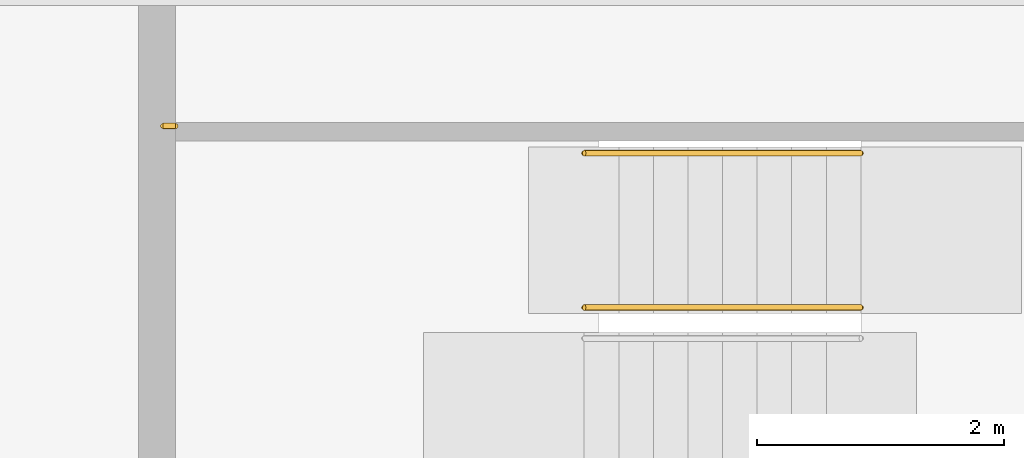
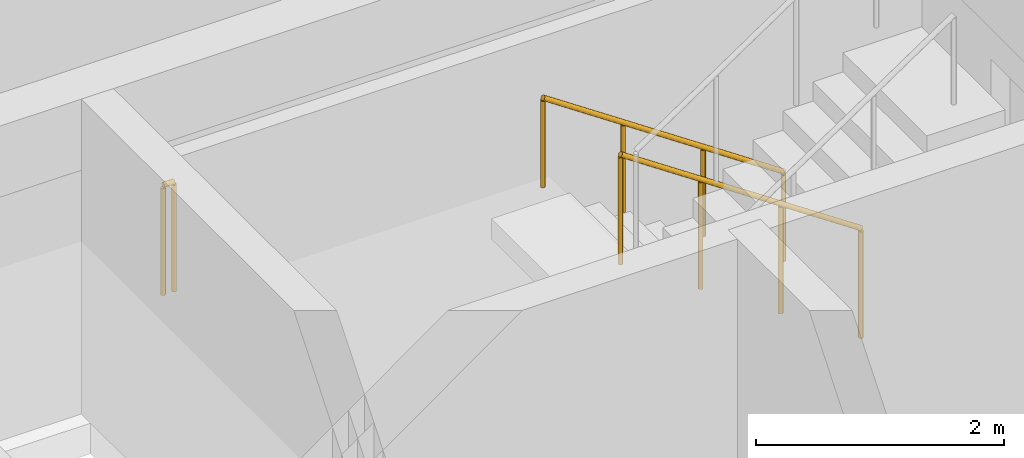
# One storey, part 11 of 12: 3 railings.
"""IFC4 building model written with IfcOpenShell, lengths in metres."""

from ifc_helpers import new_model, si_unit, direction, frame, origin, origin_2d, place, context, subcontext, project, spatial, circle, extrude, material, type_object, element, save


model = new_model("IFC4")

# Units and contexts
model_context = context("Model", 3, precision=1e-05, world=origin(), true_north=direction((0.0, 1.0)))
body_context = subcontext(model_context, "Body", "Model", "MODEL_VIEW")
ifc_project = project(units=[si_unit("LENGTHUNIT", "METRE"), si_unit("AREAUNIT", "SQUARE_METRE"), si_unit("VOLUMEUNIT", "CUBIC_METRE"), si_unit("PLANEANGLEUNIT", "RADIAN"), si_unit("MASSUNIT", "GRAM", prefix="KILO")], contexts=[model_context])

# Site, building, storey
site_placement = place(None, origin())
site = spatial("IfcSite", under=ifc_project, at=site_placement, CompositionType="ELEMENT")
building_placement = place(site_placement, origin())
building = spatial("IfcBuilding", under=site, at=building_placement, Name="Windrow Commons", CompositionType="ELEMENT")
storey_placement = place(building_placement, frame((0.0, 0.0, 267.6)))
storey = spatial("IfcBuildingStorey", under=building, at=storey_placement, Name="L73", CompositionType="ELEMENT", Elevation=267.6)

# Railings
ifc_material_1 = material(Name="Steel S355", Category="steel")
railing_type_1 = type_object("IfcRailingType", Name="Core stair guard 1100", PredefinedType="GUARDRAIL", material=ifc_material_1)
railing_1_placement = place(storey_placement, frame((70.5, 62.355, 0.1889)))
element("IfcRailing", 1, at=railing_1_placement, inside=storey, type_object=railing_type_1, Name="L73 ST-A2 stair guard 1", PredefinedType="GUARDRAIL", context=body_context, shape_type="SweptSolid", body=[
    extrude(circle(Radius=0.024, at=origin_2d()), frame((0.0, 0.0, 1.076), z_axis=(-0.8290030985, 0.0, 0.5592440099), x_axis=(0.0, -1.0, 0.0)), (0.0, 0.0, 1.0), 2.702),
    extrude(circle(Radius=0.021, at=origin_2d()), origin(), (0.0, 0.0, 1.0), 1.052),
    extrude(circle(Radius=0.021, at=origin_2d()), frame((-0.7467, 0.0, 0.5037)), (0.0, 0.0, 1.0), 1.052),
    extrude(circle(Radius=0.021, at=origin_2d()), frame((-1.4933, 0.0, 1.0074)), (0.0, 0.0, 1.0), 1.052),
    extrude(circle(Radius=0.021, at=origin_2d()), frame((-2.24, 0.0, 1.5111)), (0.0, 0.0, 1.0), 1.052),
])
railing_2_placement = place(storey_placement, frame((64.95, 63.825, 1.7)))
element("IfcRailing", 2, at=railing_2_placement, inside=storey, type_object=railing_type_1, Name="L73 ST-A2 stair guard 3", PredefinedType="GUARDRAIL", context=body_context, shape_type="SweptSolid", body=[
    extrude(circle(Radius=0.024, at=origin_2d()), frame((0.0, 0.0, 1.076), z_axis=(-1.0, 0.0, 0.0), x_axis=(0.0, -1.0, 0.0)), (0.0, 0.0, 1.0), 0.1),
    extrude(circle(Radius=0.021, at=origin_2d()), origin(), (0.0, 0.0, 1.0), 1.052),
    extrude(circle(Radius=0.021, at=origin_2d()), frame((-0.1, 0.0, 0.0)), (0.0, 0.0, 1.0), 1.052),
])
ifc_material_2 = material(Name="Steel S355", Category="steel")
railing_type_2 = type_object("IfcRailingType", Name="Core stair handrail 900", PredefinedType="HANDRAIL", material=ifc_material_2)
railing_3_placement = place(storey_placement, frame((70.5, 63.605, 0.1889)))
element("IfcRailing", 3, at=railing_3_placement, inside=storey, type_object=railing_type_2, Name="L73 ST-A2 stair handrail 1", PredefinedType="HANDRAIL", context=body_context, shape_type="SweptSolid", body=[
    extrude(circle(Radius=0.024, at=origin_2d()), frame((0.0, 0.0, 0.876), z_axis=(-0.8290030985, 0.0, 0.5592440099), x_axis=(0.0, -1.0, 0.0)), (0.0, 0.0, 1.0), 2.702),
    extrude(circle(Radius=0.021, at=origin_2d()), origin(), (0.0, 0.0, 1.0), 0.852),
    extrude(circle(Radius=0.021, at=origin_2d()), frame((-0.7467, 0.0, 0.5037)), (0.0, 0.0, 1.0), 0.852),
    extrude(circle(Radius=0.021, at=origin_2d()), frame((-1.4933, 0.0, 1.0074)), (0.0, 0.0, 1.0), 0.852),
    extrude(circle(Radius=0.021, at=origin_2d()), frame((-2.24, 0.0, 1.5111)), (0.0, 0.0, 1.0), 0.852),
])

save(model, "model.ifc")
